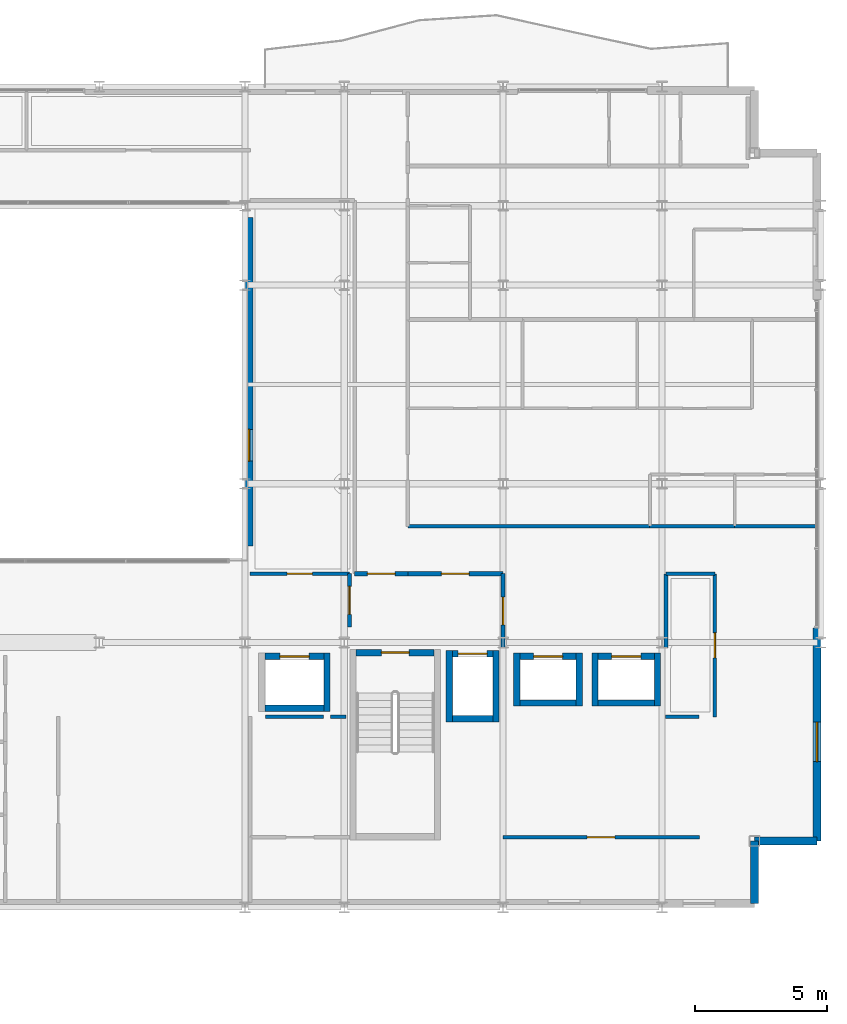
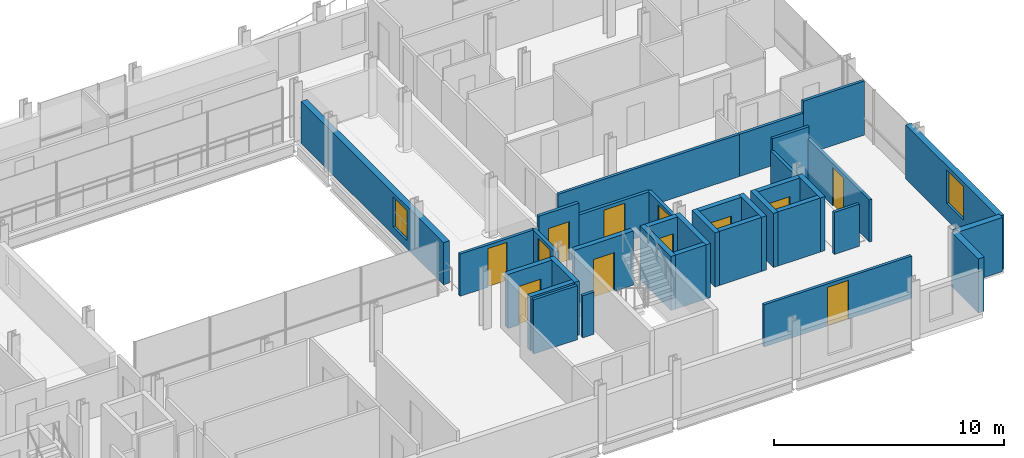
# One storey, part 36 of 41: 35 walls, 12 doors, 2 windows, 14 openings.
"""IFC4 building model written with IfcOpenShell, lengths in metres."""

from ifc_helpers import new_model, si_unit, direction, frame, frame_2d, origin, place, context, subcontext, project, spatial, rectangle, extrude, material, layer, layer_set, type_object, element, fill, save


model = new_model("IFC4")

# Units and contexts
model_context = context("Model", 3, precision=1e-05, world=origin(), true_north=direction((0.0, 1.0)))
body_context = subcontext(model_context, "Body", "Model", "MODEL_VIEW")
ifc_project = project(units=[si_unit("LENGTHUNIT", "METRE"), si_unit("AREAUNIT", "SQUARE_METRE"), si_unit("VOLUMEUNIT", "CUBIC_METRE"), si_unit("PLANEANGLEUNIT", "RADIAN"), si_unit("MASSUNIT", "GRAM", prefix="KILO")], contexts=[model_context])

# Site, building, storey
site_placement = place(None, origin())
site = spatial("IfcSite", under=ifc_project, at=site_placement, CompositionType="ELEMENT")
building_placement = place(site_placement, origin())
building = spatial("IfcBuilding", under=site, at=building_placement, Name="Brevholm Reach", CompositionType="ELEMENT")
storey_placement = place(building_placement, frame((0.0, 0.0, 163.5)))
storey = spatial("IfcBuildingStorey", under=building, at=storey_placement, Name="L49", CompositionType="ELEMENT", Elevation=163.5)

# Wall, opening, door
ifc_material_1 = material(Name="Concrete C45/55", Category="concrete")
ifc_layer_1 = layer(ifc_material_1, 0.239990234375)
ifc_layer_set_1 = layer_set([ifc_layer_1], Name="Concrete C45/55")
wall_type_1 = type_object("IfcWallType", Name="WAL-COR-240", PredefinedType="SHEAR", material=ifc_layer_set_1)
wall_1_placement = place(storey_placement, frame((45.39990234375, 9.6201171875, 0.0), z_axis=(0.0, 0.0, 1.0), x_axis=(-1.0, 0.0, 0.0)))
wall_1 = element("IfcWall", 1, at=wall_1_placement, inside=storey, type_object=wall_type_1, Name="L49 Escape Stair ST-2 Core Wall N", PredefinedType="SHEAR", context=body_context, shape_type="SweptSolid", body=[
    extrude(rectangle(XDim=2.949951171875, YDim=0.239990234375, at=frame_2d((1.47509765625, 0.0))), origin(), (0.0, 0.0, 1.0), 2.8798828125),
])
opening_1_placement = place(wall_1_placement, frame((0.949951171875, 0.0, 0.0)))
opening_1 = element("IfcOpeningElement", 2, at=opening_1_placement, cuts=wall_1, Name="Opening SD-ST-2", PredefinedType="OPENING", context=body_context, shape_type="SweptSolid", body=[
    extrude(rectangle(XDim=1.050048828125, YDim=2.06005859375, at=frame_2d((0.52490234375, 1.030029296875))), frame((0.0, 0.1298828125, 0.0), z_axis=(0.0, -1.0, 0.0), x_axis=(1.0, 0.0, 0.0)), (0.0, 0.0, 1.0), 0.260009765625),
])
ifc_material_2 = material(Name="Hardwood-Lipped Steel-Core Fire and Smoke Door", Category="steel")
door_type_1 = type_object("IfcDoorType", Name="DOR-INT-FD60S", OperationType="NOTDEFINED", PredefinedType="DOOR", material=ifc_material_2)
door_1_placement = place(opening_1_placement, origin())
door_1 = element("IfcDoor", 3, at=door_1_placement, inside=storey, type_object=door_type_1, Name="L49 Protected Stair ST-2 Lobby Door", OperationType="SINGLE_SWING_RIGHT", OverallHeight=2.06005859375, OverallWidth=1.050048828125, PredefinedType="DOOR", context=body_context, shape_type="SweptSolid", body=[
    extrude(rectangle(XDim=1.050048828125, YDim=2.06005859375, at=frame_2d((0.52490234375, 1.030029296875))), frame((0.0, 0.02490234375, 0.0), z_axis=(0.0, -1.0, 0.0), x_axis=(1.0, 0.0, 0.0)), (0.0, 0.0, 1.0), 0.050048828125),
])
fill(opening_1, door_1)

# Walls
for number, where, z_axis, x_axis, name in (
    (4, (45.969970703125, 7.0, 0.0), (0.0, 0.0, 1.0), (0.0, 1.0, 0.0), "L49 Lift FFL-2 Shaft Wall W"),
    (5, (47.72998046875, 7.0, 0.0), (0.0, 0.0, 1.0), (0.0, 1.0, 0.0), "L49 Lift FFL-2 Shaft Wall E"),
):
    element("IfcWall", number, at=place(storey_placement, frame(where, z_axis=z_axis, x_axis=x_axis)), inside=storey, type_object=wall_type_1, Name=name, PredefinedType="SHEAR", context=body_context, shape_type="SweptSolid", body=[
        extrude(rectangle(XDim=2.699951171875, YDim=0.239990234375, at=frame_2d((1.35009765625, 0.0))), origin(), (0.0, 0.0, 1.0), 2.8798828125),
    ])
wall_2_placement = place(storey_placement, frame((46.090087890625, 7.1201171875, 0.0), z_axis=(0.0, 0.0, 1.0), x_axis=(1.0, 0.0, 0.0)))
element("IfcWall", 6, at=wall_2_placement, inside=storey, type_object=wall_type_1, Name="L49 Lift FFL-2 Shaft Wall S", PredefinedType="SHEAR", context=body_context, shape_type="SweptSolid", body=[
    extrude(rectangle(XDim=1.52001953125, YDim=0.239990234375, at=frame_2d((0.760009765625, 0.0))), origin(), (0.0, 0.0, 1.0), 2.8798828125),
])

# Wall, opening, door
wall_3_placement = place(storey_placement, frame((46.090087890625, 9.580078125, 0.0), z_axis=(0.0, 0.0, 1.0), x_axis=(1.0, 0.0, 0.0)))
wall_3 = element("IfcWall", 7, at=wall_3_placement, inside=storey, type_object=wall_type_1, Name="L49 Lift FFL-2 Shaft Wall N", PredefinedType="SHEAR", context=body_context, shape_type="SweptSolid", body=[
    extrude(rectangle(XDim=1.52001953125, YDim=0.239990234375, at=frame_2d((0.760009765625, 0.0))), origin(), (0.0, 0.0, 1.0), 2.8798828125),
])
opening_2_placement = place(wall_3_placement, frame((0.2099609375, 0.0, 0.0)))
opening_2 = element("IfcOpeningElement", 8, at=opening_2_placement, cuts=wall_3, Name="Opening LD-FFL-2", PredefinedType="OPENING", context=body_context, shape_type="SweptSolid", body=[
    extrude(rectangle(XDim=1.10009765625, YDim=2.06005859375, at=frame_2d((0.550048828125, 1.030029296875))), frame((0.0, 0.1298828125, 0.0), z_axis=(0.0, -1.0, 0.0), x_axis=(1.0, 0.0, 0.0)), (0.0, 0.0, 1.0), 0.260009765625),
])
ifc_material_3 = material(Name="Brushed Stainless Steel Fire-Rated Sliding Lift Door", Category="steel")
door_type_2 = type_object("IfcDoorType", Name="DOR-LFT-1100", OperationType="NOTDEFINED", PredefinedType="DOOR", material=ifc_material_3)
door_2_placement = place(opening_2_placement, origin())
door_2 = element("IfcDoor", 9, at=door_2_placement, inside=storey, type_object=door_type_2, Name="L49 Lift FFL-2 Sliding Landing Door", OperationType="SLIDING_TO_RIGHT", OverallHeight=2.06005859375, OverallWidth=1.10009765625, PredefinedType="DOOR", context=body_context, shape_type="SweptSolid", body=[
    extrude(rectangle(XDim=1.10009765625, YDim=2.06005859375, at=frame_2d((0.550048828125, 1.030029296875))), frame((0.0, 0.02490234375, 0.0), z_axis=(0.0, -1.0, 0.0), x_axis=(1.0, 0.0, 0.0)), (0.0, 0.0, 1.0), 0.050048828125),
])
fill(opening_2, door_2)

# Walls
wall_4_placement = place(storey_placement, frame((41.35009765625, 7.39990234375, 0.0), z_axis=(0.0, 0.0, 1.0), x_axis=(0.0, 1.0, 0.0)))
element("IfcWall", 10, at=wall_4_placement, inside=storey, type_object=wall_type_1, Name="L49 Lift PL-S1 Shaft Wall E", PredefinedType="SHEAR", context=body_context, shape_type="SweptSolid", body=[
    extrude(rectangle(XDim=2.2001953125, YDim=0.239990234375, at=frame_2d((1.10009765625, 0.0))), origin(), (0.0, 0.0, 1.0), 2.8798828125),
])
wall_5_placement = place(storey_placement, frame((39.010009765625, 7.52001953125, 0.0), z_axis=(0.0, 0.0, 1.0), x_axis=(1.0, 0.0, 0.0)))
element("IfcWall", 11, at=wall_5_placement, inside=storey, type_object=wall_type_1, Name="L49 Lift PL-S1 Shaft Wall S", PredefinedType="SHEAR", context=body_context, shape_type="SweptSolid", body=[
    extrude(rectangle(XDim=2.219970703125, YDim=0.239990234375, at=frame_2d((1.10986328125, 0.0))), origin(), (0.0, 0.0, 1.0), 2.8798828125),
])

# Wall, opening, door
wall_6_placement = place(storey_placement, frame((39.010009765625, 9.47998046875, 0.0), z_axis=(0.0, 0.0, 1.0), x_axis=(1.0, 0.0, 0.0)))
wall_6 = element("IfcWall", 12, at=wall_6_placement, inside=storey, type_object=wall_type_1, Name="L49 Lift PL-S1 Shaft Wall N", PredefinedType="SHEAR", context=body_context, shape_type="SweptSolid", body=[
    extrude(rectangle(XDim=2.219970703125, YDim=0.239990234375, at=frame_2d((1.10986328125, 0.0))), origin(), (0.0, 0.0, 1.0), 2.8798828125),
])
opening_3_placement = place(wall_6_placement, frame((0.56005859375, 0.0, 0.0)))
opening_3 = element("IfcOpeningElement", 13, at=opening_3_placement, cuts=wall_6, Name="Opening LD-PL-S1", PredefinedType="OPENING", context=body_context, shape_type="SweptSolid", body=[
    extrude(rectangle(XDim=1.10009765625, YDim=2.06005859375, at=frame_2d((0.550048828125, 1.030029296875))), frame((0.0, 0.1298828125, 0.0), z_axis=(0.0, -1.0, 0.0), x_axis=(1.0, 0.0, 0.0)), (0.0, 0.0, 1.0), 0.260009765625),
])
door_3_placement = place(opening_3_placement, origin())
door_3 = element("IfcDoor", 14, at=door_3_placement, inside=storey, type_object=door_type_2, Name="L49 Lift PL-S1 Sliding Landing Door", OperationType="SLIDING_TO_LEFT", OverallHeight=2.06005859375, OverallWidth=1.10009765625, PredefinedType="DOOR", context=body_context, shape_type="SweptSolid", body=[
    extrude(rectangle(XDim=1.10009765625, YDim=2.06005859375, at=frame_2d((0.550048828125, 1.030029296875))), frame((0.0, 0.02490234375, 0.0), z_axis=(0.0, -1.0, 0.0), x_axis=(1.0, 0.0, 0.0)), (0.0, 0.0, 1.0), 0.050048828125),
])
fill(opening_3, door_3)

# Walls
for number, where, z_axis, x_axis, name in (
    (15, (48.52001953125, 7.60009765625, 0.0), (0.0, 0.0, 1.0), (0.0, 1.0, 0.0), "L49 Lift PL-H1 Shaft Wall W"),
    (16, (50.8798828125, 7.60009765625, 0.0), (0.0, 0.0, 1.0), (0.0, 1.0, 0.0), "L49 Lift PL-H1 Shaft Wall E"),
):
    element("IfcWall", number, at=place(storey_placement, frame(where, z_axis=z_axis, x_axis=x_axis)), inside=storey, type_object=wall_type_1, Name=name, PredefinedType="SHEAR", context=body_context, shape_type="SweptSolid", body=[
        extrude(rectangle(XDim=2.0, YDim=0.239990234375, at=frame_2d((1.0, 0.0))), origin(), (0.0, 0.0, 1.0), 2.8798828125),
    ])
wall_7_placement = place(storey_placement, frame((48.639892578125, 7.719970703125, 0.0), z_axis=(0.0, 0.0, 1.0), x_axis=(1.0, 0.0, 0.0)))
element("IfcWall", 17, at=wall_7_placement, inside=storey, type_object=wall_type_1, Name="L49 Lift PL-H1 Shaft Wall S", PredefinedType="SHEAR", context=body_context, shape_type="SweptSolid", body=[
    extrude(rectangle(XDim=2.1201171875, YDim=0.239990234375, at=frame_2d((1.06005859375, 0.0))), origin(), (0.0, 0.0, 1.0), 2.8798828125),
])

# Wall, opening, door
wall_8_placement = place(storey_placement, frame((48.639892578125, 9.47998046875, 0.0), z_axis=(0.0, 0.0, 1.0), x_axis=(1.0, 0.0, 0.0)))
wall_8 = element("IfcWall", 18, at=wall_8_placement, inside=storey, type_object=wall_type_1, Name="L49 Lift PL-H1 Shaft Wall N", PredefinedType="SHEAR", context=body_context, shape_type="SweptSolid", body=[
    extrude(rectangle(XDim=2.1201171875, YDim=0.239990234375, at=frame_2d((1.06005859375, 0.0))), origin(), (0.0, 0.0, 1.0), 2.8798828125),
])
opening_4_placement = place(wall_8_placement, frame((0.510009765625, 0.0, 0.0)))
opening_4 = element("IfcOpeningElement", 19, at=opening_4_placement, cuts=wall_8, Name="Opening LD-PL-H1", PredefinedType="OPENING", context=body_context, shape_type="SweptSolid", body=[
    extrude(rectangle(XDim=1.10009765625, YDim=2.06005859375, at=frame_2d((0.550048828125, 1.030029296875))), frame((0.0, 0.1298828125, 0.0), z_axis=(0.0, -1.0, 0.0), x_axis=(1.0, 0.0, 0.0)), (0.0, 0.0, 1.0), 0.260009765625),
])
door_4_placement = place(opening_4_placement, origin())
door_4 = element("IfcDoor", 20, at=door_4_placement, inside=storey, type_object=door_type_2, Name="L49 Lift PL-H1 Sliding Landing Door", OperationType="SLIDING_TO_RIGHT", OverallHeight=2.06005859375, OverallWidth=1.10009765625, PredefinedType="DOOR", context=body_context, shape_type="SweptSolid", body=[
    extrude(rectangle(XDim=1.10009765625, YDim=2.06005859375, at=frame_2d((0.550048828125, 1.030029296875))), frame((0.0, 0.02490234375, 0.0), z_axis=(0.0, -1.0, 0.0), x_axis=(1.0, 0.0, 0.0)), (0.0, 0.0, 1.0), 0.050048828125),
])
fill(opening_4, door_4)

# Walls
for number, where, z_axis, x_axis, name in (
    (21, (51.469970703125, 7.60009765625, 0.0), (0.0, 0.0, 1.0), (0.0, 1.0, 0.0), "L49 Lift PL-H2 Shaft Wall W"),
    (22, (53.830078125, 7.60009765625, 0.0), (0.0, 0.0, 1.0), (0.0, 1.0, 0.0), "L49 Lift PL-H2 Shaft Wall E"),
):
    element("IfcWall", number, at=place(storey_placement, frame(where, z_axis=z_axis, x_axis=x_axis)), inside=storey, type_object=wall_type_1, Name=name, PredefinedType="SHEAR", context=body_context, shape_type="SweptSolid", body=[
        extrude(rectangle(XDim=2.0, YDim=0.239990234375, at=frame_2d((1.0, 0.0))), origin(), (0.0, 0.0, 1.0), 2.8798828125),
    ])
wall_9_placement = place(storey_placement, frame((51.590087890625, 7.719970703125, 0.0), z_axis=(0.0, 0.0, 1.0), x_axis=(1.0, 0.0, 0.0)))
element("IfcWall", 23, at=wall_9_placement, inside=storey, type_object=wall_type_1, Name="L49 Lift PL-H2 Shaft Wall S", PredefinedType="SHEAR", context=body_context, shape_type="SweptSolid", body=[
    extrude(rectangle(XDim=2.119873046875, YDim=0.239990234375, at=frame_2d((1.06005859375, 0.0))), origin(), (0.0, 0.0, 1.0), 2.8798828125),
])

# Wall, opening, door
wall_10_placement = place(storey_placement, frame((51.590087890625, 9.47998046875, 0.0), z_axis=(0.0, 0.0, 1.0), x_axis=(1.0, 0.0, 0.0)))
wall_10 = element("IfcWall", 24, at=wall_10_placement, inside=storey, type_object=wall_type_1, Name="L49 Lift PL-H2 Shaft Wall N", PredefinedType="SHEAR", context=body_context, shape_type="SweptSolid", body=[
    extrude(rectangle(XDim=2.119873046875, YDim=0.239990234375, at=frame_2d((1.06005859375, 0.0))), origin(), (0.0, 0.0, 1.0), 2.8798828125),
])
opening_5_placement = place(wall_10_placement, frame((0.510009765625, 0.0, 0.0)))
opening_5 = element("IfcOpeningElement", 25, at=opening_5_placement, cuts=wall_10, Name="Opening LD-PL-H2", PredefinedType="OPENING", context=body_context, shape_type="SweptSolid", body=[
    extrude(rectangle(XDim=1.10009765625, YDim=2.06005859375, at=frame_2d((0.550048828125, 1.030029296875))), frame((0.0, 0.1298828125, 0.0), z_axis=(0.0, -1.0, 0.0), x_axis=(1.0, 0.0, 0.0)), (0.0, 0.0, 1.0), 0.260009765625),
])
door_5_placement = place(opening_5_placement, origin())
door_5 = element("IfcDoor", 26, at=door_5_placement, inside=storey, type_object=door_type_2, Name="L49 Lift PL-H2 Sliding Landing Door", OperationType="SLIDING_TO_LEFT", OverallHeight=2.06005859375, OverallWidth=1.10009765625, PredefinedType="DOOR", context=body_context, shape_type="SweptSolid", body=[
    extrude(rectangle(XDim=1.10009765625, YDim=2.06005859375, at=frame_2d((0.550048828125, 1.030029296875))), frame((0.0, 0.02490234375, 0.0), z_axis=(0.0, -1.0, 0.0), x_axis=(1.0, 0.0, 0.0)), (0.0, 0.0, 1.0), 0.050048828125),
])
fill(opening_5, door_5)

# Walls
ifc_material_4 = material(Name="Concrete C40/50", Category="concrete")
ifc_layer_2 = layer(ifc_material_4, 0.300048828125)
ifc_layer_set_2 = layer_set([ifc_layer_2], Name="Concrete C40/50")
wall_type_2 = type_object("IfcWallType", Name="WAL-EXT-300", PredefinedType="STANDARD", material=ifc_layer_set_2)
for number, where, z_axis, x_axis, name in (
    (27, (57.5, 0.14990234375, 0.0), (0.0, 0.0, 1.0), (0.0, 1.0, 0.0), "L49 Facade Wall WAL-L49-CSE1"),
    (28, (57.5, 2.5, 0.0), (0.0, 0.0, 1.0), (1.0, 0.0, 0.0), "L49 Facade Wall WAL-L49-CSE2"),
):
    element("IfcWall", number, at=place(storey_placement, frame(where, z_axis=z_axis, x_axis=x_axis)), inside=storey, type_object=wall_type_2, Name=name, PredefinedType="STANDARD", context=body_context, shape_type="SweptSolid", body=[
        extrude(rectangle(XDim=2.35009765625, YDim=0.300048828125, at=frame_2d((1.175048828125, 0.0))), origin(), (0.0, 0.0, 1.0), 2.8798828125),
    ])

# Wall, opening, window
wall_11_placement = place(storey_placement, frame((59.85009765625, 2.5, 0.0), z_axis=(0.0, 0.0, 1.0), x_axis=(0.0, 1.0, 0.0)))
wall_11 = element("IfcWall", 29, at=wall_11_placement, inside=storey, type_object=wall_type_2, Name="L49 Facade Wall WAL-L49-E-S", PredefinedType="STANDARD", context=body_context, shape_type="SweptSolid", body=[
    extrude(rectangle(XDim=8.050048828125, YDim=0.300048828125, at=frame_2d((4.02490234375, 0.0))), origin(), (0.0, 0.0, 1.0), 2.8798828125),
])
opening_6_placement = place(wall_11_placement, frame((3.0, 0.0, 0.860107421875)))
opening_6 = element("IfcOpeningElement", 30, at=opening_6_placement, cuts=wall_11, Name="Opening WN-05", PredefinedType="OPENING", context=body_context, shape_type="SweptSolid", body=[
    extrude(rectangle(XDim=1.5, YDim=1.800048828125, at=frame_2d((0.75, 0.89990234375))), frame((0.0, 0.159912109375, 0.0), z_axis=(0.0, -1.0, 0.0), x_axis=(1.0, 0.0, 0.0)), (0.0, 0.0, 1.0), 0.320068359375),
])
ifc_material_5 = material(Name="Dark Anodised Aluminium and Solar-Control IGU Glass", Category="aluminium")
window_type_1 = type_object("IfcWindowType", Name="WIN-RES-1500", PartitioningType="SINGLE_PANEL", PredefinedType="WINDOW", material=ifc_material_5)
window_1_placement = place(opening_6_placement, origin())
window_1 = element("IfcWindow", 31, at=window_1_placement, inside=storey, type_object=window_type_1, Name="L49 Window WIN-L49-ES-1", OverallHeight=1.800048828125, OverallWidth=1.5, PartitioningType="SINGLE_PANEL", PredefinedType="WINDOW", context=body_context, shape_type="SweptSolid", body=[
    extrude(rectangle(XDim=1.5, YDim=1.800048828125, at=frame_2d((0.75, 0.89990234375))), frame((0.0, 0.030029296875, 0.0), z_axis=(0.0, -1.0, 0.0), x_axis=(1.0, 0.0, 0.0)), (0.0, 0.0, 1.0), 0.06005859375),
])
fill(opening_6, window_1)

wall_12_placement = place(storey_placement, frame((38.39990234375, 13.64990234375, 0.0), z_axis=(0.0, 0.0, 1.0), x_axis=(0.0, 1.0, 0.0)))
wall_12 = element("IfcWall", 32, at=wall_12_placement, inside=storey, type_object=wall_type_2, Name="L49 Facade Wall WAL-L49-AT-E", PredefinedType="STANDARD", context=body_context, shape_type="SweptSolid", body=[
    extrude(rectangle(XDim=12.400146484375, YDim=0.300048828125, at=frame_2d((6.2001953125, 0.0))), origin(), (0.0, 0.0, 1.0), 2.242919921875),
])
opening_7_placement = place(wall_12_placement, frame((3.199951171875, 0.0, 0.423095703125)))
opening_7 = element("IfcOpeningElement", 33, at=opening_7_placement, cuts=wall_12, Name="Opening WN-08", PredefinedType="OPENING", context=body_context, shape_type="SweptSolid", body=[
    extrude(rectangle(XDim=1.199951171875, YDim=1.60009765625, at=frame_2d((0.60009765625, 0.800048828125))), frame((0.0, 0.159912109375, 0.0), z_axis=(0.0, -1.0, 0.0), x_axis=(1.0, 0.0, 0.0)), (0.0, 0.0, 1.0), 0.320068359375),
])
ifc_material_6 = material(Name="Dark Anodised Aluminium and Solar-Control IGU Glass", Category="aluminium")
window_type_2 = type_object("IfcWindowType", Name="WIN-RES-1200", PartitioningType="SINGLE_PANEL", PredefinedType="WINDOW", material=ifc_material_6)
window_2_placement = place(opening_7_placement, origin())
window_2 = element("IfcWindow", 34, at=window_2_placement, inside=storey, type_object=window_type_2, Name="L49 Window WIN-L49-AT-E1", OverallHeight=1.60009765625, OverallWidth=1.199951171875, PartitioningType="SINGLE_PANEL", PredefinedType="WINDOW", context=body_context, shape_type="SweptSolid", body=[
    extrude(rectangle(XDim=1.199951171875, YDim=1.60009765625, at=frame_2d((0.60009765625, 0.800048828125))), frame((0.0, 0.030029296875, 0.0), z_axis=(0.0, -1.0, 0.0), x_axis=(1.0, 0.0, 0.0)), (0.0, 0.0, 1.0), 0.06005859375),
])
fill(opening_7, window_2)

# Wall, opening, door
ifc_material_7 = material(Name="Twin-Stud Acoustic Fire-Rated Gypsum Partition 140 mm", Category="gypsum")
ifc_layer_3 = layer(ifc_material_7, 0.139892578125)
ifc_layer_set_3 = layer_set([ifc_layer_3], Name="Twin-Stud Acoustic Fire-Rated Gypsum Partition 140 mm")
wall_type_3 = type_object("IfcWallType", Name="WAL-PRT-140", PredefinedType="PARTITIONING", material=ifc_layer_set_3)
wall_13_placement = place(storey_placement, frame((56.0, 7.188720703125, 0.0), z_axis=(0.0, 0.0, 1.0), x_axis=(0.0, 1.0, 0.0)))
wall_13 = element("IfcWall", 35, at=wall_13_placement, inside=storey, type_object=wall_type_3, Name="L49 Internal Partition 012", PredefinedType="PARTITIONING", context=body_context, shape_type="SweptSolid", body=[
    extrude(rectangle(XDim=5.411376953125, YDim=0.139892578125, at=frame_2d((2.70556640625, 0.0))), origin(), (0.0, 0.0, 1.0), 2.242919921875),
])
opening_8_placement = place(wall_13_placement, frame((2.230712890625, 0.0, 0.0)))
opening_8 = element("IfcOpeningElement", 36, at=opening_8_placement, cuts=wall_13, Name="Opening ID-30", PredefinedType="OPENING", context=body_context, shape_type="SweptSolid", body=[
    extrude(rectangle(XDim=0.949951171875, YDim=2.050048828125, at=frame_2d((0.47509765625, 1.02490234375))), frame((0.0, 0.079833984375, 0.0), z_axis=(0.0, -1.0, 0.0), x_axis=(1.0, 0.0, 0.0)), (0.0, 0.0, 1.0), 0.159912109375),
])
ifc_material_8 = material(Name="European Oak Veneered Solid-Core Fire Entrance Door", Category="timber")
door_type_3 = type_object("IfcDoorType", Name="DOR-FLT-FD30S", OperationType="NOTDEFINED", PredefinedType="DOOR", material=ifc_material_8)
door_6_placement = place(opening_8_placement, origin())
door_6 = element("IfcDoor", 37, at=door_6_placement, inside=storey, type_object=door_type_3, Name="L49 Internal Door 005", OperationType="SINGLE_SWING_LEFT", OverallHeight=2.050048828125, OverallWidth=0.949951171875, PredefinedType="DOOR", context=body_context, shape_type="SweptSolid", body=[
    extrude(rectangle(XDim=0.949951171875, YDim=2.050048828125, at=frame_2d((0.47509765625, 1.02490234375))), frame((0.0, 0.02490234375, 0.0), z_axis=(0.0, -1.0, 0.0), x_axis=(1.0, 0.0, 0.0)), (0.0, 0.0, 1.0), 0.050048828125),
])
fill(opening_8, door_6)

wall_14_placement = place(storey_placement, frame((47.98876953125, 2.64990234375, 0.0), z_axis=(0.0, 0.0, 1.0), x_axis=(1.0, 0.0, 0.0)))
wall_14 = element("IfcWall", 38, at=wall_14_placement, inside=storey, type_object=wall_type_3, Name="L49 Internal Partition 014", PredefinedType="PARTITIONING", context=body_context, shape_type="SweptSolid", body=[
    extrude(rectangle(XDim=7.422607421875, YDim=0.139892578125, at=frame_2d((3.71142578125, 0.0))), origin(), (0.0, 0.0, 1.0), 2.242919921875),
])
opening_9_placement = place(wall_14_placement, frame((3.186279296875, 0.0, 0.0)))
opening_9 = element("IfcOpeningElement", 39, at=opening_9_placement, cuts=wall_14, Name="Opening FD-01", PredefinedType="OPENING", context=body_context, shape_type="SweptSolid", body=[
    extrude(rectangle(XDim=1.050048828125, YDim=2.06005859375, at=frame_2d((0.52490234375, 1.030029296875))), frame((0.0, 0.079833984375, 0.0), z_axis=(0.0, -1.0, 0.0), x_axis=(1.0, 0.0, 0.0)), (0.0, 0.0, 1.0), 0.159912109375),
])
door_7_placement = place(opening_9_placement, origin())
door_7 = element("IfcDoor", 40, at=door_7_placement, inside=storey, type_object=door_type_1, Name="L49 Internal Door 007", OperationType="SINGLE_SWING_LEFT", OverallHeight=2.06005859375, OverallWidth=1.050048828125, PredefinedType="DOOR", context=body_context, shape_type="SweptSolid", body=[
    extrude(rectangle(XDim=1.050048828125, YDim=2.06005859375, at=frame_2d((0.52490234375, 1.030029296875))), frame((0.0, 0.02490234375, 0.0), z_axis=(0.0, -1.0, 0.0), x_axis=(1.0, 0.0, 0.0)), (0.0, 0.0, 1.0), 0.050048828125),
])
fill(opening_9, door_7)

# Walls
wall_15_placement = place(storey_placement, frame((54.138671875, 7.199951171875, 0.0), z_axis=(0.0, 0.0, 1.0), x_axis=(1.0, 0.0, 0.0)))
element("IfcWall", 41, at=wall_15_placement, inside=storey, type_object=wall_type_3, Name="L49 Internal Partition 019", PredefinedType="PARTITIONING", context=body_context, shape_type="SweptSolid", body=[
    extrude(rectangle(XDim=1.26123046875, YDim=0.139892578125, at=frame_2d((0.630615234375, 0.0))), origin(), (0.0, 0.0, 1.0), 2.242919921875),
])
wall_16_placement = place(storey_placement, frame((54.14990234375, 9.800048828125, 0.0), z_axis=(0.0, 0.0, 1.0), x_axis=(0.0, 1.0, 0.0)))
element("IfcWall", 42, at=wall_16_placement, inside=storey, type_object=wall_type_3, Name="L49 Internal Partition 031", PredefinedType="PARTITIONING", context=body_context, shape_type="SweptSolid", body=[
    extrude(rectangle(XDim=2.800048828125, YDim=0.139892578125, at=frame_2d((1.39990234375, 0.0))), origin(), (0.0, 0.0, 1.0), 2.242919921875),
])
wall_17_placement = place(storey_placement, frame((54.154052734375, 12.60009765625, 0.0), z_axis=(0.0, 0.0, 1.0), x_axis=(1.0, 0.0, 0.0)))
element("IfcWall", 43, at=wall_17_placement, inside=storey, type_object=wall_type_3, Name="L49 Internal Partition 032", PredefinedType="PARTITIONING", context=body_context, shape_type="SweptSolid", body=[
    extrude(rectangle(XDim=1.842041015625, YDim=0.139892578125, at=frame_2d((0.9208984375, 0.0))), origin(), (0.0, 0.0, 1.0), 2.8798828125),
])

# Wall, opening, door
wall_18_placement = place(storey_placement, frame((38.438720703125, 12.60009765625, 0.0), z_axis=(0.0, 0.0, 1.0), x_axis=(1.0, 0.0, 0.0)))
wall_18 = element("IfcWall", 44, at=wall_18_placement, inside=storey, type_object=wall_type_3, Name="L49 Internal Partition 033", PredefinedType="PARTITIONING", context=body_context, shape_type="SweptSolid", body=[
    extrude(rectangle(XDim=3.75732421875, YDim=0.139892578125, at=frame_2d((1.878662109375, 0.0))), origin(), (0.0, 0.0, 1.0), 2.242919921875),
])
opening_10_placement = place(wall_18_placement, frame((1.40380859375, 0.0, 0.0)))
opening_10 = element("IfcOpeningElement", 45, at=opening_10_placement, cuts=wall_18, Name="Opening ID-30", PredefinedType="OPENING", context=body_context, shape_type="SweptSolid", body=[
    extrude(rectangle(XDim=0.949951171875, YDim=2.050048828125, at=frame_2d((0.47509765625, 1.02490234375))), frame((0.0, 0.079833984375, 0.0), z_axis=(0.0, -1.0, 0.0), x_axis=(1.0, 0.0, 0.0)), (0.0, 0.0, 1.0), 0.159912109375),
])
door_8_placement = place(opening_10_placement, origin())
door_8 = element("IfcDoor", 46, at=door_8_placement, inside=storey, type_object=door_type_3, Name="L49 Internal Door 017", OperationType="SINGLE_SWING_LEFT", OverallHeight=2.050048828125, OverallWidth=0.949951171875, PredefinedType="DOOR", context=body_context, shape_type="SweptSolid", body=[
    extrude(rectangle(XDim=0.949951171875, YDim=2.050048828125, at=frame_2d((0.47509765625, 1.02490234375))), frame((0.0, 0.02490234375, 0.0), z_axis=(0.0, -1.0, 0.0), x_axis=(1.0, 0.0, 0.0)), (0.0, 0.0, 1.0), 0.050048828125),
])
fill(opening_10, door_8)

# Walls
wall_19_placement = place(storey_placement, frame((56.73876953125, 14.39990234375, 0.0), z_axis=(0.0, 0.0, 1.0), x_axis=(1.0, 0.0, 0.0)))
element("IfcWall", 47, at=wall_19_placement, inside=storey, type_object=wall_type_3, Name="L49 Internal Partition 049", PredefinedType="PARTITIONING", context=body_context, shape_type="SweptSolid", body=[
    extrude(rectangle(XDim=3.072509765625, YDim=0.139892578125, at=frame_2d((1.5361328125, 0.0))), origin(), (0.0, 0.0, 1.0), 2.8798828125),
])
wall_20_placement = place(storey_placement, frame((53.538818359375, 14.39990234375, 0.0), z_axis=(0.0, 0.0, 1.0), x_axis=(1.0, 0.0, 0.0)))
element("IfcWall", 48, at=wall_20_placement, inside=storey, type_object=wall_type_3, Name="L49 Internal Partition 050", PredefinedType="PARTITIONING", context=body_context, shape_type="SweptSolid", body=[
    extrude(rectangle(XDim=3.218505859375, YDim=0.139892578125, at=frame_2d((1.609375, 0.0))), origin(), (0.0, 0.0, 1.0), 2.242919921875),
])
wall_21_placement = place(storey_placement, frame((44.404052734375, 14.39990234375, 0.0), z_axis=(0.0, 0.0, 1.0), x_axis=(1.0, 0.0, 0.0)))
element("IfcWall", 49, at=wall_21_placement, inside=storey, type_object=wall_type_3, Name="L49 Internal Partition 051", PredefinedType="PARTITIONING", context=body_context, shape_type="SweptSolid", body=[
    extrude(rectangle(XDim=9.1533203125, YDim=0.139892578125, at=frame_2d((4.57666015625, 0.0))), origin(), (0.0, 0.0, 1.0), 2.242919921875),
])
wall_22_placement = place(storey_placement, frame((41.482666015625, 7.199951171875, 0.0), z_axis=(0.0, 0.0, 1.0), x_axis=(1.0, 0.0, 0.0)))
element("IfcWall", 50, at=wall_22_placement, inside=storey, type_object=wall_type_3, Name="L49 Internal Partition 127", PredefinedType="PARTITIONING", context=body_context, shape_type="SweptSolid", body=[
    extrude(rectangle(XDim=0.577392578125, YDim=0.139892578125, at=frame_2d((0.28857421875, 0.0))), origin(), (0.0, 0.0, 1.0), 2.242919921875),
])
wall_23_placement = place(storey_placement, frame((39.022705078125, 7.199951171875, 0.0), z_axis=(0.0, 0.0, 1.0), x_axis=(1.0, 0.0, 0.0)))
element("IfcWall", 51, at=wall_23_placement, inside=storey, type_object=wall_type_3, Name="L49 Internal Partition 128", PredefinedType="PARTITIONING", context=body_context, shape_type="SweptSolid", body=[
    extrude(rectangle(XDim=2.194580078125, YDim=0.139892578125, at=frame_2d((1.09716796875, 0.0))), origin(), (0.0, 0.0, 1.0), 2.8798828125),
])

# Wall, opening, door
ifc_material_9 = material(Name="Twin-Frame Fire-Rated Gypsum Board and Mineral Wool 160 mm", Category="gypsum")
ifc_layer_4 = layer(ifc_material_9, 0.159912109375)
ifc_layer_set_4 = layer_set([ifc_layer_4], Name="Twin-Frame Fire-Rated Gypsum Board and Mineral Wool 160 mm")
wall_type_4 = type_object("IfcWallType", Name="WAL-PRT-160", PredefinedType="PARTITIONING", material=ifc_layer_set_4)
wall_24_placement = place(storey_placement, frame((48.0, 9.788818359375, 0.0), z_axis=(0.0, 0.0, 1.0), x_axis=(0.0, 1.0, 0.0)))
wall_24 = element("IfcWall", 52, at=wall_24_placement, inside=storey, type_object=wall_type_4, Name="L49 Internal Partition 027", PredefinedType="PARTITIONING", context=body_context, shape_type="SweptSolid", body=[
    extrude(rectangle(XDim=2.811279296875, YDim=0.159912109375, at=frame_2d((1.40576171875, 0.0))), origin(), (0.0, 0.0, 1.0), 2.242919921875),
])
opening_11_placement = place(wall_24_placement, frame((0.880615234375, 0.0, 0.0)))
opening_11 = element("IfcOpeningElement", 53, at=opening_11_placement, cuts=wall_24, Name="Opening FD-01", PredefinedType="OPENING", context=body_context, shape_type="SweptSolid", body=[
    extrude(rectangle(XDim=1.050048828125, YDim=2.06005859375, at=frame_2d((0.52490234375, 1.030029296875))), frame((0.0, 0.08984375, 0.0), z_axis=(0.0, -1.0, 0.0), x_axis=(1.0, 0.0, 0.0)), (0.0, 0.0, 1.0), 0.179931640625),
])
door_9_placement = place(opening_11_placement, origin())
door_9 = element("IfcDoor", 54, at=door_9_placement, inside=storey, type_object=door_type_1, Name="L49 Internal Door 013", OperationType="SINGLE_SWING_LEFT", OverallHeight=2.06005859375, OverallWidth=1.050048828125, PredefinedType="DOOR", context=body_context, shape_type="SweptSolid", body=[
    extrude(rectangle(XDim=1.050048828125, YDim=2.06005859375, at=frame_2d((0.52490234375, 1.030029296875))), frame((0.0, 0.02490234375, 0.0), z_axis=(0.0, -1.0, 0.0), x_axis=(1.0, 0.0, 0.0)), (0.0, 0.0, 1.0), 0.050048828125),
])
fill(opening_11, door_9)

wall_25_placement = place(storey_placement, frame((42.199951171875, 10.588623046875, 0.0), z_axis=(0.0, 0.0, 1.0), x_axis=(0.0, 1.0, 0.0)))
wall_25 = element("IfcWall", 55, at=wall_25_placement, inside=storey, type_object=wall_type_4, Name="L49 Internal Partition 028", PredefinedType="PARTITIONING", context=body_context, shape_type="SweptSolid", body=[
    extrude(rectangle(XDim=2.011474609375, YDim=0.159912109375, at=frame_2d((1.005859375, 0.0))), origin(), (0.0, 0.0, 1.0), 2.242919921875),
])
opening_12_placement = place(wall_25_placement, frame((0.480712890625, 0.0, 0.0)))
opening_12 = element("IfcOpeningElement", 56, at=opening_12_placement, cuts=wall_25, Name="Opening FD-01", PredefinedType="OPENING", context=body_context, shape_type="SweptSolid", body=[
    extrude(rectangle(XDim=1.050048828125, YDim=2.06005859375, at=frame_2d((0.52490234375, 1.030029296875))), frame((0.0, 0.08984375, 0.0), z_axis=(0.0, -1.0, 0.0), x_axis=(1.0, 0.0, 0.0)), (0.0, 0.0, 1.0), 0.179931640625),
])
door_10_placement = place(opening_12_placement, origin())
door_10 = element("IfcDoor", 57, at=door_10_placement, inside=storey, type_object=door_type_1, Name="L49 Internal Door 014", OperationType="SINGLE_SWING_RIGHT", OverallHeight=2.06005859375, OverallWidth=1.050048828125, PredefinedType="DOOR", context=body_context, shape_type="SweptSolid", body=[
    extrude(rectangle(XDim=1.050048828125, YDim=2.06005859375, at=frame_2d((0.52490234375, 1.030029296875))), frame((0.0, 0.02490234375, 0.0), z_axis=(0.0, -1.0, 0.0), x_axis=(1.0, 0.0, 0.0)), (0.0, 0.0, 1.0), 0.050048828125),
])
fill(opening_12, door_10)

wall_26_placement = place(storey_placement, frame((42.388671875, 12.60009765625, 0.0), z_axis=(0.0, 0.0, 1.0), x_axis=(1.0, 0.0, 0.0)))
wall_26 = element("IfcWall", 58, at=wall_26_placement, inside=storey, type_object=wall_type_4, Name="L49 Internal Partition 029", PredefinedType="PARTITIONING", context=body_context, shape_type="SweptSolid", body=[
    extrude(rectangle(XDim=2.022705078125, YDim=0.159912109375, at=frame_2d((1.01123046875, 0.0))), origin(), (0.0, 0.0, 1.0), 2.8798828125),
])
opening_13_placement = place(wall_26_placement, frame((0.486328125, 0.0, 0.0)))
opening_13 = element("IfcOpeningElement", 59, at=opening_13_placement, cuts=wall_26, Name="Opening FD-01", PredefinedType="OPENING", context=body_context, shape_type="SweptSolid", body=[
    extrude(rectangle(XDim=1.050048828125, YDim=2.06005859375, at=frame_2d((0.52490234375, 1.030029296875))), frame((0.0, 0.08984375, 0.0), z_axis=(0.0, -1.0, 0.0), x_axis=(1.0, 0.0, 0.0)), (0.0, 0.0, 1.0), 0.179931640625),
])
door_11_placement = place(opening_13_placement, origin())
door_11 = element("IfcDoor", 60, at=door_11_placement, inside=storey, type_object=door_type_1, Name="L49 Internal Door 015", OperationType="SINGLE_SWING_LEFT", OverallHeight=2.06005859375, OverallWidth=1.050048828125, PredefinedType="DOOR", context=body_context, shape_type="SweptSolid", body=[
    extrude(rectangle(XDim=1.050048828125, YDim=2.06005859375, at=frame_2d((0.52490234375, 1.030029296875))), frame((0.0, 0.02490234375, 0.0), z_axis=(0.0, -1.0, 0.0), x_axis=(1.0, 0.0, 0.0)), (0.0, 0.0, 1.0), 0.050048828125),
])
fill(opening_13, door_11)

wall_27_placement = place(storey_placement, frame((44.392578125, 12.60009765625, 0.0), z_axis=(0.0, 0.0, 1.0), x_axis=(1.0, 0.0, 0.0)))
wall_27 = element("IfcWall", 61, at=wall_27_placement, inside=storey, type_object=wall_type_4, Name="L49 Internal Partition 030", PredefinedType="PARTITIONING", context=body_context, shape_type="SweptSolid", body=[
    extrude(rectangle(XDim=3.607421875, YDim=0.159912109375, at=frame_2d((1.8037109375, 0.0))), origin(), (0.0, 0.0, 1.0), 2.242919921875),
])
opening_14_placement = place(wall_27_placement, frame((1.27880859375, 0.0, 0.0)))
opening_14 = element("IfcOpeningElement", 62, at=opening_14_placement, cuts=wall_27, Name="Opening FD-01", PredefinedType="OPENING", context=body_context, shape_type="SweptSolid", body=[
    extrude(rectangle(XDim=1.050048828125, YDim=2.06005859375, at=frame_2d((0.52490234375, 1.030029296875))), frame((0.0, 0.08984375, 0.0), z_axis=(0.0, -1.0, 0.0), x_axis=(1.0, 0.0, 0.0)), (0.0, 0.0, 1.0), 0.179931640625),
])
door_12_placement = place(opening_14_placement, origin())
door_12 = element("IfcDoor", 63, at=door_12_placement, inside=storey, type_object=door_type_1, Name="L49 Internal Door 016", OperationType="SINGLE_SWING_RIGHT", OverallHeight=2.06005859375, OverallWidth=1.050048828125, PredefinedType="DOOR", context=body_context, shape_type="SweptSolid", body=[
    extrude(rectangle(XDim=1.050048828125, YDim=2.06005859375, at=frame_2d((0.52490234375, 1.030029296875))), frame((0.0, 0.02490234375, 0.0), z_axis=(0.0, -1.0, 0.0), x_axis=(1.0, 0.0, 0.0)), (0.0, 0.0, 1.0), 0.050048828125),
])
fill(opening_14, door_12)

save(model, "model.ifc")
